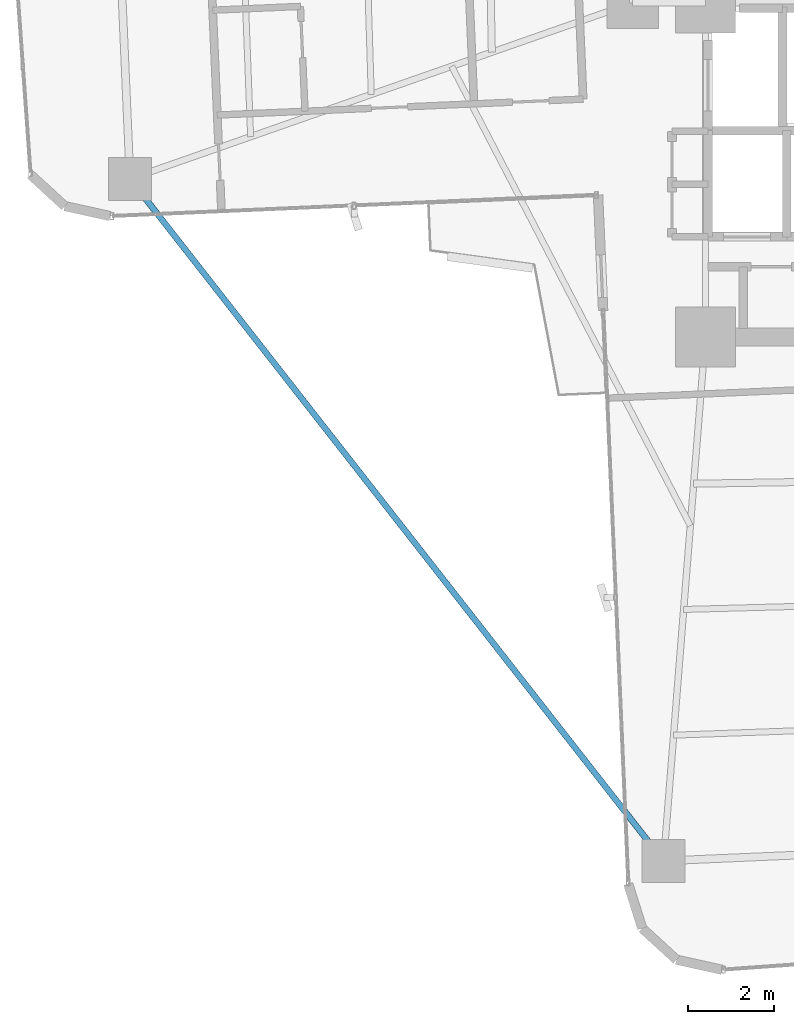
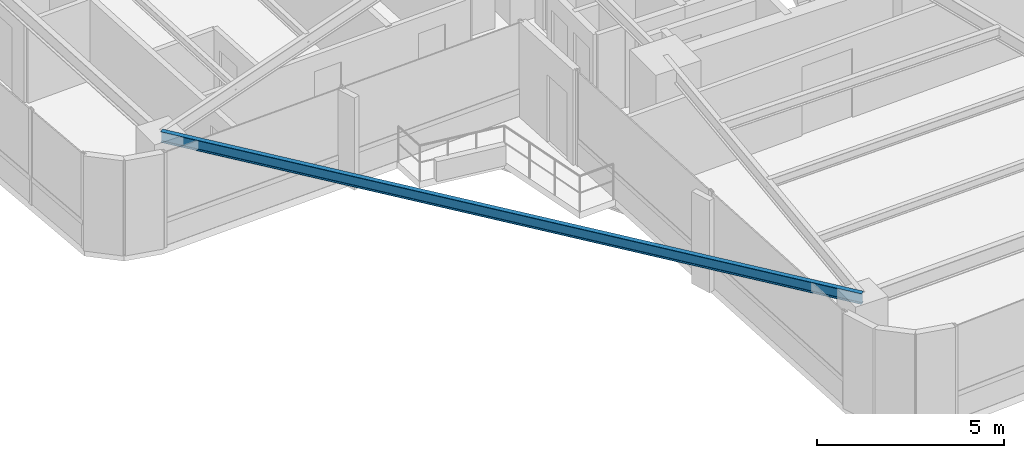
# One storey, part 3 of 26: 1 beam.
"""IFC4 building model written with IfcOpenShell, lengths in metres."""

from ifc_helpers import new_model, si_unit, direction, frame, origin, origin_2d, place, context, subcontext, project, spatial, i_section, extrude, source, transform, mapped, material, material_profile, profile_set, type_object, element, save


model = new_model("IFC4")

# Units and contexts
model_context = context("Model", 3, precision=1e-05, world=origin(), true_north=direction((0.0, 1.0)))
body_context = subcontext(model_context, "Body", "Model", "MODEL_VIEW")
ifc_project = project(units=[si_unit("LENGTHUNIT", "METRE"), si_unit("AREAUNIT", "SQUARE_METRE"), si_unit("VOLUMEUNIT", "CUBIC_METRE"), si_unit("PLANEANGLEUNIT", "RADIAN"), si_unit("MASSUNIT", "GRAM", prefix="KILO")], contexts=[model_context])

# Site, building, storey
site_placement = place(None, origin())
site = spatial("IfcSite", under=ifc_project, at=site_placement, CompositionType="ELEMENT")
building_placement = place(site_placement, origin())
building = spatial("IfcBuilding", under=site, at=building_placement, Name="Sahyath Konkavel Grand Hotel", CompositionType="ELEMENT")
storey_placement = place(building_placement, frame((0.0, 0.0, 131.550048828125)))
storey = spatial("IfcBuildingStorey", under=building, at=storey_placement, Name="L36", CompositionType="ELEMENT", Elevation=131.550048828125)

# Beam
ifc_material = material(Name="Steel E350", Category="steel")
ifc_material_profile = material_profile(ifc_material, i_section(OverallWidth=0.139892578125, OverallDepth=0.35009765625, WebThickness=0.008056640625, FlangeThickness=0.01416015625, FilletRadius=0.013916015625, at=origin_2d()), Name="ISMB 350")
ifc_profile_set = profile_set([ifc_material_profile], Name="Steel E350")
beam_type = type_object("IfcBeamType", Name="BM-ISMB350", PredefinedType="BEAM", material=ifc_profile_set)
shared_shape = source(origin(), body_context, "Body", "SweptSolid", [
    extrude(i_section(OverallWidth=0.139892578125, OverallDepth=0.35009765625, WebThickness=0.008056640625, FlangeThickness=0.01416015625, FilletRadius=0.013916015625, at=origin_2d()), origin(), (0.0, 0.0, 1.0), 20.215576171875),
])
beam_placement = place(storey_placement, frame((-17.232421875, -6.5078125, 2.93505859375), z_axis=(0.616176369687, -0.787608203004, 0.0), x_axis=(0.787608203004, 0.616176369687, 0.0)))
element("IfcBeam", 1, at=beam_placement, inside=storey, type_object=beam_type, Name="L36 Re-Entrant Tie Beam SW", PredefinedType="BEAM", context=body_context, shape_type="MappedRepresentation", body=[
    mapped(shared_shape, transform((0.0, 0.0, 0.0), scale=1.0)),
])

save(model, "model.ifc")
